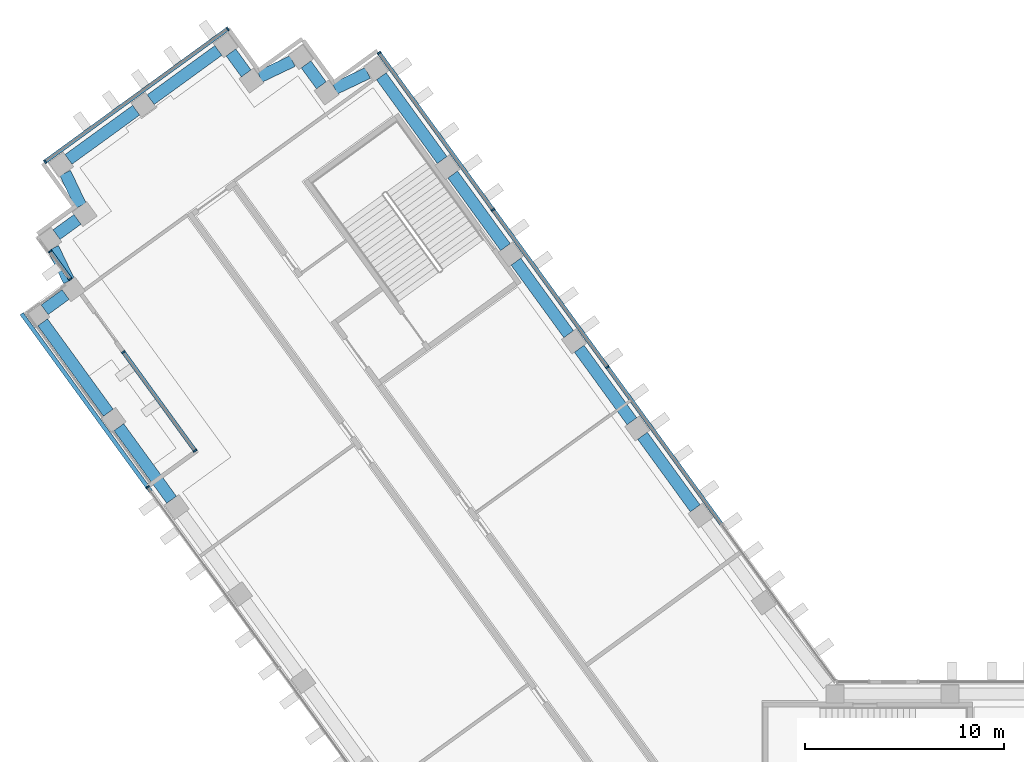
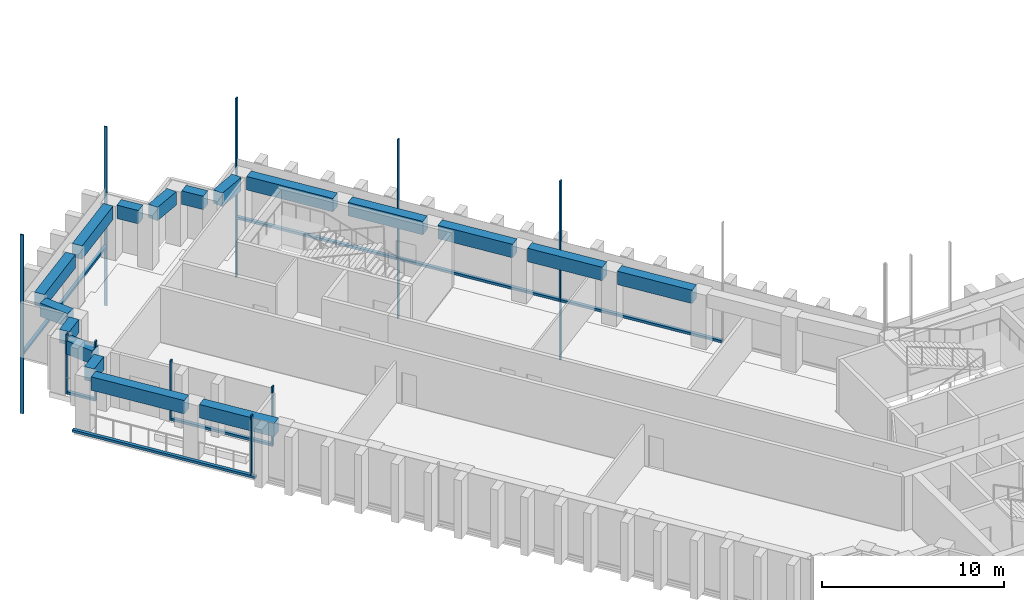
"""IFC4 building model written with IfcOpenShell, lengths in metres."""

from ifc_helpers import new_model, si_unit, direction, frame, origin, origin_2d, place, context, subcontext, project, spatial, rectangle, extrude, material, material_profile, profile_set, type_object, element, aggregate, save


model = new_model("IFC4")

# Units and contexts
model_context = context("Model", 3, precision=1e-05, world=origin(), true_north=direction((0.0, 1.0)))
body_context = subcontext(model_context, "Body", "Model", "MODEL_VIEW")
ifc_project = project(units=[si_unit("LENGTHUNIT", "METRE"), si_unit("AREAUNIT", "SQUARE_METRE"), si_unit("VOLUMEUNIT", "CUBIC_METRE"), si_unit("PLANEANGLEUNIT", "RADIAN"), si_unit("MASSUNIT", "GRAM", prefix="KILO")], contexts=[model_context])

# Site, building, storey
site_placement = place(None, origin())
site = spatial("IfcSite", under=ifc_project, at=site_placement, CompositionType="ELEMENT")
building_placement = place(site_placement, origin())
building = spatial("IfcBuilding", under=site, at=building_placement, Name="Quipu Civic Tower", CompositionType="ELEMENT")
storey_1_placement = place(building_placement, frame((0.0, 0.0, 35.0)))
storey_1 = spatial("IfcBuildingStorey", under=building, at=storey_1_placement, Name="L07", CompositionType="ELEMENT", Elevation=35.0)

# Curtain wall, members
ifc_material_1 = material(Name="Insulated glass unit", Category="glass")
curtain_wall_type = type_object("IfcCurtainWallType", Name="Office curtain wall CW1", PredefinedType="NOTDEFINED", material=ifc_material_1)
curtain_wall_1_placement = place(storey_1_placement, origin())
curtain_wall_1 = element("IfcCurtainWall", 1, at=curtain_wall_1_placement, inside=storey_1, type_object=curtain_wall_type, Name="Office curtain wall CW1 L07 run 2", PredefinedType="NOTDEFINED")
ifc_material_2 = material(Name="Anodised aluminium", Category="aluminium")
ifc_material_profile_1 = material_profile(ifc_material_2, rectangle(XDim=0.199951171875, YDim=0.080078125, at=origin_2d()), Name="RECT 200x80")
ifc_profile_set_1 = profile_set([ifc_material_profile_1], Name="Anodised aluminium")
member_type_1 = type_object("IfcMemberType", Name="Mullion CW1", PredefinedType="MULLION", material=ifc_profile_set_1)
member_1_placement = place(storey_1_placement, frame((-53.772705078125, 32.70361328125, 0.080078125), z_axis=(0.0, 0.0, 1.0), x_axis=(0.809014887871, 0.587788151635, 0.0)))
member_1 = element("IfcMember", 2, at=member_1_placement, type_object=member_type_1, Name="CW1 mullion 1", PredefinedType="MULLION", context=body_context, shape_type="SweptSolid", body=[
    extrude(rectangle(XDim=0.199951171875, YDim=0.080078125, at=origin_2d()), origin(), (0.0, 0.0, 1.0), 4.0),
])
member_2_placement = place(storey_1_placement, frame((-52.7626953125, 31.313232421875, 0.080078125), z_axis=(0.0, 0.0, 1.0), x_axis=(0.809014887871, 0.587788151635, 0.0)))
member_2 = element("IfcMember", 3, at=member_2_placement, type_object=member_type_1, Name="CW1 mullion 2", PredefinedType="MULLION", context=body_context, shape_type="SweptSolid", body=[
    extrude(rectangle(XDim=0.199951171875, YDim=0.080078125, at=origin_2d()), origin(), (0.0, 0.0, 1.0), 4.0),
])

curtain_wall_2_placement = place(storey_1_placement, origin())
curtain_wall_2 = element("IfcCurtainWall", 4, at=curtain_wall_2_placement, inside=storey_1, type_object=curtain_wall_type, Name="Office curtain wall CW1 L07 run 5", PredefinedType="NOTDEFINED")
member_3_placement = place(storey_1_placement, frame((-50.099609375, 27.64794921875, 0.080078125), z_axis=(0.0, 0.0, 1.0), x_axis=(0.809016381699, 0.587786095567, 0.0)))
member_3 = element("IfcMember", 5, at=member_3_placement, type_object=member_type_1, Name="CW1 mullion 1", PredefinedType="MULLION", context=body_context, shape_type="SweptSolid", body=[
    extrude(rectangle(XDim=0.199951171875, YDim=0.080078125, at=origin_2d()), origin(), (0.0, 0.0, 1.0), 4.0),
])
member_4_placement = place(storey_1_placement, frame((-46.50244140625, 22.697021484375, 0.080078125), z_axis=(0.0, 0.0, 1.0), x_axis=(0.809016381699, 0.587786095567, 0.0)))
member_4 = element("IfcMember", 6, at=member_4_placement, type_object=member_type_1, Name="CW1 mullion 2", PredefinedType="MULLION", context=body_context, shape_type="SweptSolid", body=[
    extrude(rectangle(XDim=0.199951171875, YDim=0.080078125, at=origin_2d()), origin(), (0.0, 0.0, 1.0), 4.0),
])

# Curtain wall, member
curtain_wall_3_placement = place(storey_1_placement, origin())
curtain_wall_3 = element("IfcCurtainWall", 7, at=curtain_wall_3_placement, inside=storey_1, type_object=curtain_wall_type, Name="Office curtain wall CW1 L07 run 7", PredefinedType="NOTDEFINED")
member_5_placement = place(storey_1_placement, frame((-48.882568359375, 20.868896484375, 0.080078125), z_axis=(0.0, 0.0, 1.0), x_axis=(0.809016802453, 0.58778551645, 0.0)))
member_5 = element("IfcMember", 8, at=member_5_placement, type_object=member_type_1, Name="CW1 mullion 1", PredefinedType="MULLION", context=body_context, shape_type="SweptSolid", body=[
    extrude(rectangle(XDim=0.199951171875, YDim=0.080078125, at=origin_2d()), origin(), (0.0, 0.0, 1.0), 4.0),
])
aggregate(curtain_wall_3, [member_5])

# Curtain wall, members
curtain_wall_4_placement = place(storey_1_placement, origin())
curtain_wall_4 = element("IfcCurtainWall", 9, at=curtain_wall_4_placement, inside=storey_1, type_object=curtain_wall_type, Name="Office curtain wall CW1 L06 run 32", PredefinedType="NOTDEFINED")
member_6_placement = place(storey_1_placement, frame((-25.819091796875, 26.893798828125, -3.919921875), z_axis=(0.0, 0.0, 1.0), x_axis=(-0.809016532822, -0.587785887566, 0.0)))
member_6 = element("IfcMember", 10, at=member_6_placement, type_object=member_type_1, Name="CW1 mullion 3", PredefinedType="MULLION", context=body_context, shape_type="SweptSolid", body=[
    extrude(rectangle(XDim=0.199951171875, YDim=0.080078125, at=origin_2d()), origin(), (0.0, 0.0, 1.0), 12.0),
])
member_7_placement = place(storey_1_placement, frame((-31.556396484375, 34.79052734375, -3.919921875), z_axis=(0.0, 0.0, 1.0), x_axis=(-0.809016532822, -0.587785887566, 0.0)))
member_7 = element("IfcMember", 11, at=member_7_placement, type_object=member_type_1, Name="CW1 mullion 4", PredefinedType="MULLION", context=body_context, shape_type="SweptSolid", body=[
    extrude(rectangle(XDim=0.199951171875, YDim=0.080078125, at=origin_2d()), origin(), (0.0, 0.0, 1.0), 12.0),
])
member_8_placement = place(storey_1_placement, frame((-37.2705078125, 42.655029296875, -3.919921875), z_axis=(0.0, 0.0, 1.0), x_axis=(-0.809016532822, -0.587785887566, 0.0)))
member_8 = element("IfcMember", 12, at=member_8_placement, type_object=member_type_1, Name="CW1 mullion 5", PredefinedType="MULLION", context=body_context, shape_type="SweptSolid", body=[
    extrude(rectangle(XDim=0.199951171875, YDim=0.080078125, at=origin_2d()), origin(), (0.0, 0.0, 1.0), 12.0),
])

curtain_wall_5_placement = place(storey_1_placement, origin())
curtain_wall_5 = element("IfcCurtainWall", 13, at=curtain_wall_5_placement, inside=storey_1, type_object=curtain_wall_type, Name="Office curtain wall CW1 L06 run 37", PredefinedType="NOTDEFINED")
member_9_placement = place(storey_1_placement, frame((-44.869140625, 43.858642578125, -3.919921875), z_axis=(0.0, 0.0, 1.0), x_axis=(0.587782012621, -0.809019348124, 0.0)))
member_9 = element("IfcMember", 14, at=member_9_placement, type_object=member_type_1, Name="CW1 mullion 1", PredefinedType="MULLION", context=body_context, shape_type="SweptSolid", body=[
    extrude(rectangle(XDim=0.199951171875, YDim=0.080078125, at=origin_2d()), origin(), (0.0, 0.0, 1.0), 12.0),
])
member_10_placement = place(storey_1_placement, frame((-54.027099609375, 37.204833984375, -3.919921875), z_axis=(0.0, 0.0, 1.0), x_axis=(0.587782012621, -0.809019348124, 0.0)))
member_10 = element("IfcMember", 15, at=member_10_placement, type_object=member_type_1, Name="CW1 mullion 2", PredefinedType="MULLION", context=body_context, shape_type="SweptSolid", body=[
    extrude(rectangle(XDim=0.199951171875, YDim=0.080078125, at=origin_2d()), origin(), (0.0, 0.0, 1.0), 12.0),
])

# Beams
ifc_material_3 = material(Name="Concrete C50/60", Category="concrete")
ifc_material_profile_2 = material_profile(ifc_material_3, rectangle(XDim=0.60009765625, YDim=0.89990234375, at=origin_2d()), Name="RC600x900")
ifc_profile_set_2 = profile_set([ifc_material_profile_2], Name="Concrete C50/60")
beam_type = type_object("IfcBeamType", Name="Spandrel beam RC 600x900 C50/60", PredefinedType="SPANDREL", material=ifc_profile_set_2)
for number, where, z_axis, x_axis, name in (
    (16, (-21.411865234375, 19.807861328125, 3.199951171875), (-0.587778073121, 0.809022210299, 0.0), (-0.809022210299, -0.587778073121, 0.0), "Spandrel beam L07 W-IN-02 to W-IN-03"),
    (17, (-24.585693359375, 24.1767578125, 3.199951171875), (-0.587778073121, 0.809022210299, 0.0), (-0.809022210299, -0.587778073121, 0.0), "Spandrel beam L07 W-IN-03 to W-IN-04"),
    (18, (-27.759765625, 28.545654296875, 3.199951171875), (-0.587742561851, 0.809048009076, 0.0), (-0.809048009076, -0.587742561851, 0.0), "Spandrel beam L07 W-IN-04 to W-IN-05"),
    (19, (-30.93359375, 32.914306640625, 3.199951171875), (-0.587716763865, 0.809066749701, 0.0), (-0.809066749701, -0.587716763865, 0.0), "Spandrel beam L07 W-IN-05 to W-IN-06"),
):
    element("IfcBeam", number, at=place(storey_1_placement, frame(where, z_axis=z_axis, x_axis=x_axis)), inside=storey_1, type_object=beam_type, Name=name, PredefinedType="SPANDREL", context=body_context, shape_type="SweptSolid", body=[
        extrude(rectangle(XDim=0.60009765625, YDim=0.89990234375, at=origin_2d()), origin(), (0.0, 0.0, 1.0), 4.5),
    ])
beam_1_placement = place(storey_1_placement, frame((-34.107421875, 37.283203125, 3.199951171875), z_axis=(-0.587732861365, 0.80905505602, 0.0), x_axis=(-0.80905505602, -0.587732861365, 0.0)))
element("IfcBeam", 20, at=beam_1_placement, inside=storey_1, type_object=beam_type, Name="Spandrel beam L07 W-IN-06 to T-Wi.0-W50", PredefinedType="SPANDREL", context=body_context, shape_type="SweptSolid", body=[
    extrude(rectangle(XDim=0.60009765625, YDim=0.89990234375, at=origin_2d()), origin(), (0.0, 0.0, 1.0), 5.194580078125),
])
beam_2_placement = place(storey_1_placement, frame((-37.837890625, 41.65283203125, 3.199951171875), z_axis=(-0.90245397739, -0.430786279601, 0.0), x_axis=(0.430786279601, -0.90245397739, 0.0)))
element("IfcBeam", 21, at=beam_2_placement, inside=storey_1, type_object=beam_type, Name="Spandrel beam L07 T-Wi.0-W50 to T-Wi.1-W50", PredefinedType="SPANDREL", context=body_context, shape_type="SweptSolid", body=[
    extrude(rectangle(XDim=0.60009765625, YDim=0.89990234375, at=origin_2d()), origin(), (0.0, 0.0, 1.0), 1.83349609375),
])
beam_3_placement = place(storey_1_placement, frame((-40.170166015625, 41.02978515625, 3.199951171875), z_axis=(-0.588461937499, 0.808524921146, 0.0), x_axis=(-0.808524921146, -0.588461937499, 0.0)))
element("IfcBeam", 22, at=beam_3_placement, inside=storey_1, type_object=beam_type, Name="Spandrel beam L07 T-Wi.1-W50 to T-Wi.2-W50", PredefinedType="SPANDREL", context=body_context, shape_type="SweptSolid", body=[
    extrude(rectangle(XDim=0.60009765625, YDim=0.89990234375, at=origin_2d()), origin(), (0.0, 0.0, 1.0), 1.30029296875),
])
beam_4_placement = place(storey_1_placement, frame((-41.613037109375, 42.248046875, 3.199951171875), z_axis=(-0.902613270121, -0.430452418511, 0.0), x_axis=(0.430452418511, -0.902613270121, 0.0)))
element("IfcBeam", 23, at=beam_4_placement, inside=storey_1, type_object=beam_type, Name="Spandrel beam L07 T-Wi.2-W50 to T-Wi.3-W50", PredefinedType="SPANDREL", context=body_context, shape_type="SweptSolid", body=[
    extrude(rectangle(XDim=0.60009765625, YDim=0.89990234375, at=origin_2d()), origin(), (0.0, 0.0, 1.0), 1.826416015625),
])
beam_5_placement = place(storey_1_placement, frame((-43.939453125, 41.628662109375, 3.199951171875), z_axis=(-0.588383572423, 0.808581951136, 0.0), x_axis=(-0.808581951136, -0.588383572423, 0.0)))
element("IfcBeam", 24, at=beam_5_placement, inside=storey_1, type_object=beam_type, Name="Spandrel beam L07 T-Wi.3-W50 to T-Wi.4-W50", PredefinedType="SPANDREL", context=body_context, shape_type="SweptSolid", body=[
    extrude(rectangle(XDim=0.60009765625, YDim=0.89990234375, at=origin_2d()), origin(), (0.0, 0.0, 1.0), 1.3017578125),
])
beam_6_placement = place(storey_1_placement, frame((-45.333984375, 42.780517578125, 3.199951171875), z_axis=(-0.808969789945, -0.58785021813, 0.0), x_axis=(0.58785021813, -0.808969789945, 0.0)))
element("IfcBeam", 25, at=beam_6_placement, inside=storey_1, type_object=beam_type, Name="Spandrel beam L07 T-Wi.4-W50 to TIP-W-01-W50", PredefinedType="SPANDREL", context=body_context, shape_type="SweptSolid", body=[
    extrude(rectangle(XDim=0.60009765625, YDim=0.89990234375, at=origin_2d()), origin(), (0.0, 0.0, 1.0), 4.199951171875),
])
beam_7_placement = place(storey_1_placement, frame((-49.459716796875, 39.782470703125, 3.199951171875), z_axis=(-0.808959834407, -0.587863918196, 0.0), x_axis=(0.587863918196, -0.808959834407, 0.0)))
element("IfcBeam", 26, at=beam_7_placement, inside=storey_1, type_object=beam_type, Name="Spandrel beam L07 TIP-W-01-W50 to T-Wo.0-W50", PredefinedType="SPANDREL", context=body_context, shape_type="SweptSolid", body=[
    extrude(rectangle(XDim=0.60009765625, YDim=0.89990234375, at=origin_2d()), origin(), (0.0, 0.0, 1.0), 4.1982421875),
])
beam_8_placement = place(storey_1_placement, frame((-53.023193359375, 36.63671875, 3.199951171875), z_axis=(0.430166558323, -0.902749540072, 0.0), x_axis=(0.902749540072, 0.430166558323, 0.0)))
element("IfcBeam", 27, at=beam_8_placement, inside=storey_1, type_object=beam_type, Name="Spandrel beam L07 T-Wo.0-W50 to T-Wo.1-W50", PredefinedType="SPANDREL", context=body_context, shape_type="SweptSolid", body=[
    extrude(rectangle(XDim=0.60009765625, YDim=0.89990234375, at=origin_2d()), origin(), (0.0, 0.0, 1.0), 1.830322265625),
])
beam_9_placement = place(storey_1_placement, frame((-52.40283203125, 34.306396484375, 3.199951171875), z_axis=(-0.808509099783, -0.588483674853, 0.0), x_axis=(0.588483674853, -0.808509099783, 0.0)))
element("IfcBeam", 28, at=beam_9_placement, inside=storey_1, type_object=beam_type, Name="Spandrel beam L07 T-Wo.1-W50 to T-Wo.2-W50", PredefinedType="SPANDREL", context=body_context, shape_type="SweptSolid", body=[
    extrude(rectangle(XDim=0.60009765625, YDim=0.89990234375, at=origin_2d()), origin(), (0.0, 0.0, 1.0), 1.302734375),
])
beam_10_placement = place(storey_1_placement, frame((-53.62255859375, 32.8623046875, 3.199951171875), z_axis=(0.431446050156, -0.902138739776, 0.0), x_axis=(0.902138739776, 0.431446050156, 0.0)))
element("IfcBeam", 29, at=beam_10_placement, inside=storey_1, type_object=beam_type, Name="Spandrel beam L07 T-Wo.2-W50 to T-Wo.3-W50", PredefinedType="SPANDREL", context=body_context, shape_type="SweptSolid", body=[
    extrude(rectangle(XDim=0.60009765625, YDim=0.89990234375, at=origin_2d()), origin(), (0.0, 0.0, 1.0), 1.828857421875),
])
beam_11_placement = place(storey_1_placement, frame((-53.0, 30.53466796875, 3.199951171875), z_axis=(-0.808549242423, -0.588428519514, 0.0), x_axis=(0.588428519514, -0.808549242423, 0.0)))
element("IfcBeam", 30, at=beam_11_placement, inside=storey_1, type_object=beam_type, Name="Spandrel beam L07 T-Wo.3-W50 to T-Wo.4-W50", PredefinedType="SPANDREL", context=body_context, shape_type="SweptSolid", body=[
    extrude(rectangle(XDim=0.60009765625, YDim=0.89990234375, at=origin_2d()), origin(), (0.0, 0.0, 1.0), 1.2998046875),
])
beam_12_placement = place(storey_1_placement, frame((-54.150390625, 29.140869140625, 3.199951171875), z_axis=(0.587772657145, -0.809026145135, 0.0), x_axis=(0.809026145135, 0.587772657145, 0.0)))
element("IfcBeam", 31, at=beam_12_placement, inside=storey_1, type_object=beam_type, Name="Spandrel beam L07 T-Wo.4-W50 to W-OUT-07", PredefinedType="SPANDREL", context=body_context, shape_type="SweptSolid", body=[
    extrude(rectangle(XDim=0.60009765625, YDim=0.89990234375, at=origin_2d()), origin(), (0.0, 0.0, 1.0), 5.603271484375),
])
beam_13_placement = place(storey_1_placement, frame((-50.327880859375, 23.87939453125, 3.199951171875), z_axis=(0.587778073121, -0.809022210299, 0.0), x_axis=(0.809022210299, 0.587778073121, 0.0)))
element("IfcBeam", 32, at=beam_13_placement, inside=storey_1, type_object=beam_type, Name="Spandrel beam L07 W-OUT-07 to W-OUT-06", PredefinedType="SPANDREL", context=body_context, shape_type="SweptSolid", body=[
    extrude(rectangle(XDim=0.60009765625, YDim=0.89990234375, at=origin_2d()), origin(), (0.0, 0.0, 1.0), 4.5),
])

# Storey
storey_2_placement = place(building_placement, frame((0.0, 0.0, 31.0)))
storey_2 = spatial("IfcBuildingStorey", under=building, at=storey_2_placement, Name="L06", CompositionType="ELEMENT", Elevation=31.0)

# Curtain wall, member
curtain_wall_6_placement = place(storey_2_placement, origin())
curtain_wall_6 = element("IfcCurtainWall", 33, at=curtain_wall_6_placement, inside=storey_2, type_object=curtain_wall_type, Name="Office curtain wall CW1 L06 run 4", PredefinedType="NOTDEFINED")
ifc_material_4 = material(Name="Anodised aluminium", Category="aluminium")
ifc_material_profile_3 = material_profile(ifc_material_4, rectangle(XDim=0.199951171875, YDim=0.159912109375, at=origin_2d()), Name="RECT 200x160")
ifc_profile_set_3 = profile_set([ifc_material_profile_3], Name="Anodised aluminium")
member_type_2 = type_object("IfcMemberType", Name="Transom CW1", PredefinedType="USERDEFINED", material=ifc_profile_set_3)
member_11_placement = place(storey_1_placement, frame((-55.20703125, 29.573974609375, 0.0), z_axis=(0.587779179422, -0.809021406539, 0.0), x_axis=(0.809021406539, 0.587779179422, 0.0)))
member_11 = element("IfcMember", 34, at=member_11_placement, inside=storey_1, type_object=member_type_2, Name="CW1 transom 1.2", ObjectType="TRANSOM", PredefinedType="USERDEFINED", context=body_context, shape_type="SweptSolid", body=[
    extrude(rectangle(XDim=0.199951171875, YDim=0.159912109375, at=origin_2d()), origin(), (0.0, 0.0, 1.0), 11.02294921875),
])
aggregate(curtain_wall_6, [member_11])

# Member
member_12_placement = place(storey_1_placement, frame((-53.749267578125, 32.67138671875, 0.159912109375), z_axis=(0.587772972264, -0.809025916196, 0.0), x_axis=(0.809025916196, 0.587772972264, 0.0)))
member_12 = element("IfcMember", 35, at=member_12_placement, type_object=member_type_2, Name="CW1 transom 1.1", ObjectType="TRANSOM", PredefinedType="USERDEFINED", context=body_context, shape_type="SweptSolid", body=[
    extrude(rectangle(XDim=0.199951171875, YDim=0.159912109375, at=origin_2d()), origin(), (0.0, 0.0, 1.0), 1.638671875),
])

aggregate(curtain_wall_1, [member_1, member_2, member_12])

member_13_placement = place(storey_1_placement, frame((-50.076171875, 27.61572265625, 0.159912109375), z_axis=(0.587765444521, -0.809031385193, 0.0), x_axis=(0.809031385193, 0.587765444521, 0.0)))
member_13 = element("IfcMember", 36, at=member_13_placement, type_object=member_type_2, Name="CW1 transom 1.1", ObjectType="TRANSOM", PredefinedType="USERDEFINED", context=body_context, shape_type="SweptSolid", body=[
    extrude(rectangle(XDim=0.199951171875, YDim=0.159912109375, at=origin_2d()), origin(), (0.0, 0.0, 1.0), 6.039794921875),
])

aggregate(curtain_wall_2, [member_3, member_4, member_13])

member_14_placement = place(storey_1_placement, frame((-20.105224609375, 19.029296875, 0.080078125), z_axis=(-0.587793764301, 0.80901080997, 0.0), x_axis=(-0.80901080997, -0.587793764301, 0.0)))
member_14 = element("IfcMember", 37, at=member_14_placement, type_object=member_type_2, Name="CW1 transom 2.2", ObjectType="TRANSOM", PredefinedType="USERDEFINED", context=body_context, shape_type="SweptSolid", body=[
    extrude(rectangle(XDim=0.199951171875, YDim=0.159912109375, at=origin_2d()), origin(), (0.0, 0.0, 1.0), 9.680908203125),
])

member_15_placement = place(storey_1_placement, frame((-25.842529296875, 26.926025390625, 0.080078125), z_axis=(-0.58778177227, 0.809019522748, 0.0), x_axis=(-0.809019522748, -0.58778177227, 0.0)))
member_15 = element("IfcMember", 38, at=member_15_placement, type_object=member_type_2, Name="CW1 transom 3.2", ObjectType="TRANSOM", PredefinedType="USERDEFINED", context=body_context, shape_type="SweptSolid", body=[
    extrude(rectangle(XDim=0.199951171875, YDim=0.159912109375, at=origin_2d()), origin(), (0.0, 0.0, 1.0), 9.68115234375),
])

member_16_placement = place(storey_1_placement, frame((-31.580078125, 34.822998046875, 0.080078125), z_axis=(-0.587775627857, 0.809023986849, 0.0), x_axis=(-0.809023986849, -0.587775627857, 0.0)))
member_16 = element("IfcMember", 39, at=member_16_placement, type_object=member_type_2, Name="CW1 transom 4.2", ObjectType="TRANSOM", PredefinedType="USERDEFINED", context=body_context, shape_type="SweptSolid", body=[
    extrude(rectangle(XDim=0.199951171875, YDim=0.159912109375, at=origin_2d()), origin(), (0.0, 0.0, 1.0), 9.64111328125),
])

aggregate(curtain_wall_4, [member_6, member_7, member_8, member_14, member_15, member_16])

member_17_placement = place(storey_1_placement, frame((-44.9013671875, 43.8349609375, 0.080078125), z_axis=(-0.809032792449, -0.587763507495, 0.0), x_axis=(0.587763507495, -0.809032792449, 0.0)))
member_17 = element("IfcMember", 40, at=member_17_placement, type_object=member_type_2, Name="CW1 transom 1.2", ObjectType="TRANSOM", PredefinedType="USERDEFINED", context=body_context, shape_type="SweptSolid", body=[
    extrude(rectangle(XDim=0.199951171875, YDim=0.159912109375, at=origin_2d()), origin(), (0.0, 0.0, 1.0), 11.239990234375),
])

aggregate(curtain_wall_5, [member_9, member_10, member_17])

save(model, "model.ifc")
